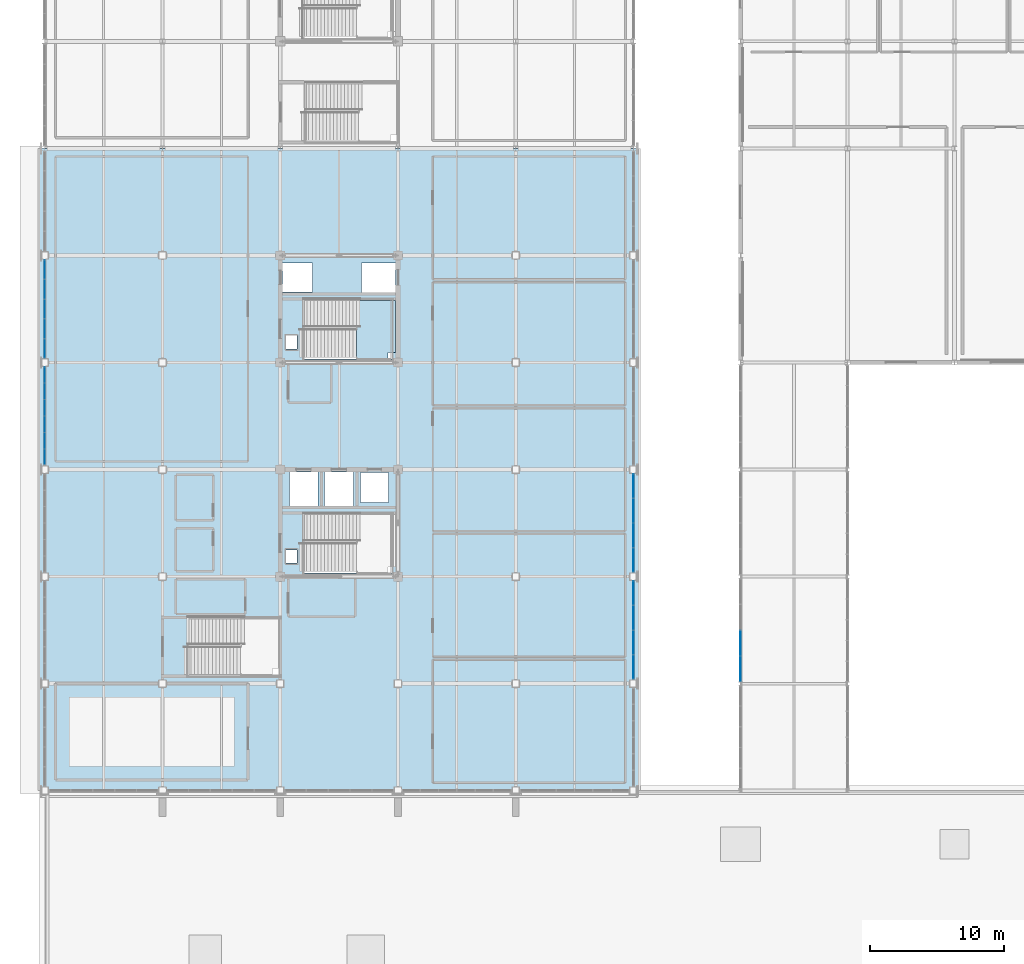
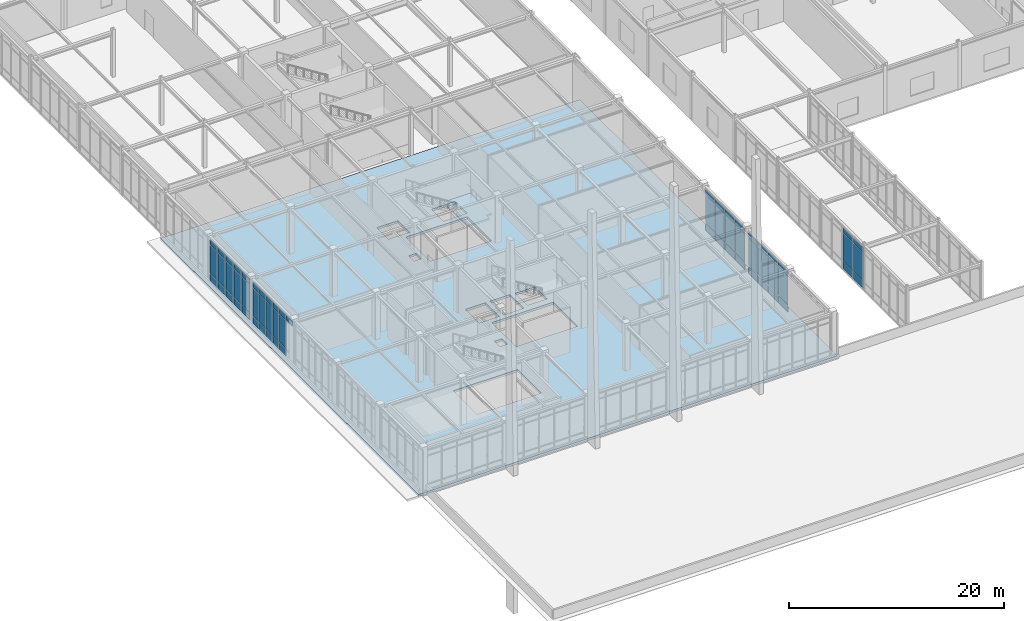
# One storey, part 61 of 108: 61 plates, 2 slabs, 6 elements without a shape of their own.
"""IFC4 building model written with IfcOpenShell, lengths in metres."""

from ifc_helpers import new_model, si_unit, direction, frame, origin, origin_2d, place, context, subcontext, project, spatial, polyline, rectangle, outline, extrude, material, layer, layer_set, type_object, element, aggregate, save


model = new_model("IFC4")

# Units and contexts
model_context = context("Model", 3, precision=1e-05, world=origin(), true_north=direction((0.0, 1.0)))
body_context = subcontext(model_context, "Body", "Model", "MODEL_VIEW")
ifc_project = project(units=[si_unit("LENGTHUNIT", "METRE"), si_unit("AREAUNIT", "SQUARE_METRE"), si_unit("VOLUMEUNIT", "CUBIC_METRE"), si_unit("PLANEANGLEUNIT", "RADIAN"), si_unit("MASSUNIT", "GRAM", prefix="KILO")], contexts=[model_context])

# Site, building, storey
site_placement = place(None, origin())
site = spatial("IfcSite", under=ifc_project, at=site_placement, CompositionType="ELEMENT")
building_placement = place(site_placement, origin())
building = spatial("IfcBuilding", under=site, at=building_placement, Name="Zhaolan Boulevard Law Courts", CompositionType="ELEMENT")
storey_placement = place(building_placement, frame((0.0, 0.0, 10.800048828125)))
storey = spatial("IfcBuildingStorey", under=building, at=storey_placement, Name="L02", CompositionType="ELEMENT", Elevation=10.800048828125)

# Curtain wall, plates
ifc_material_1 = material(Name="Thermally broken aluminium and low-E glazing", Category="aluminium")
curtain_wall_type_1 = type_object("IfcCurtainWallType", Name="CURTAIN WALL M21", PredefinedType="USERDEFINED", material=ifc_material_1)
curtain_wall_1_placement = place(storey_placement, origin())
curtain_wall_1 = element("IfcCurtainWall", 1, at=curtain_wall_1_placement, inside=storey, type_object=curtain_wall_type_1, Name="Curtain Wall CW-L02-093", ObjectType="CURTAIN WALL", PredefinedType="USERDEFINED")
ifc_material_2 = material(Name="Triple-silver low-E insulated glazing", Category="glass")
ifc_layer_1 = layer(ifc_material_2, 0.028076171875)
ifc_layer_set_1 = layer_set([ifc_layer_1])
plate_type = type_object("IfcPlateType", Name="CWPANEL LOW E28", PredefinedType="CURTAIN_PANEL", material=ifc_layer_set_1)
plate_1_placement = place(storey_placement, frame((52.0, 41.03173828125, 0.06494140625), z_axis=(0.0, 0.0, 1.0), x_axis=(0.0, -1.0, 0.0)))
plate_1 = element("IfcPlate", 2, at=plate_1_placement, type_object=plate_type, Name="CW-L02-093 panel 3.1", PredefinedType="CURTAIN_PANEL", context=body_context, shape_type="SweptSolid", body=[
    extrude(rectangle(XDim=1.87158203125, YDim=0.028076171875, at=origin_2d()), origin(), (0.0, 0.0, 1.0), 0.802490234375),
])
plate_2_placement = place(storey_placement, frame((52.0, 41.03173828125, 0.932373046875), z_axis=(0.0, 0.0, 1.0), x_axis=(0.0, -1.0, 0.0)))
plate_2 = element("IfcPlate", 3, at=plate_2_placement, type_object=plate_type, Name="CW-L02-093 panel 3.2", PredefinedType="CURTAIN_PANEL", context=body_context, shape_type="SweptSolid", body=[
    extrude(rectangle(XDim=1.87158203125, YDim=0.028076171875, at=origin_2d()), origin(), (0.0, 0.0, 1.0), 3.16796875),
])
plate_3_placement = place(storey_placement, frame((52.0, 41.03173828125, 4.16552734375), z_axis=(0.0, 0.0, 1.0), x_axis=(0.0, -1.0, 0.0)))
plate_3 = element("IfcPlate", 4, at=plate_3_placement, type_object=plate_type, Name="CW-L02-093 panel 3.3", PredefinedType="CURTAIN_PANEL", context=body_context, shape_type="SweptSolid", body=[
    extrude(rectangle(XDim=1.87158203125, YDim=0.028076171875, at=origin_2d()), origin(), (0.0, 0.0, 1.0), 0.552490234375),
])
plate_4_placement = place(storey_placement, frame((52.0, 39.111572265625, 0.06494140625), z_axis=(0.0, 0.0, 1.0), x_axis=(0.0, -1.0, 0.0)))
plate_4 = element("IfcPlate", 5, at=plate_4_placement, type_object=plate_type, Name="CW-L02-093 panel 4.1", PredefinedType="CURTAIN_PANEL", context=body_context, shape_type="SweptSolid", body=[
    extrude(rectangle(XDim=1.839111328125, YDim=0.028076171875, at=origin_2d()), origin(), (0.0, 0.0, 1.0), 0.802490234375),
])
plate_5_placement = place(storey_placement, frame((52.0, 39.111572265625, 0.932373046875), z_axis=(0.0, 0.0, 1.0), x_axis=(0.0, -1.0, 0.0)))
plate_5 = element("IfcPlate", 6, at=plate_5_placement, type_object=plate_type, Name="CW-L02-093 panel 4.2", PredefinedType="CURTAIN_PANEL", context=body_context, shape_type="SweptSolid", body=[
    extrude(rectangle(XDim=1.839111328125, YDim=0.028076171875, at=origin_2d()), origin(), (0.0, 0.0, 1.0), 3.16796875),
])
plate_6_placement = place(storey_placement, frame((52.0, 39.111572265625, 4.16552734375), z_axis=(0.0, 0.0, 1.0), x_axis=(0.0, -1.0, 0.0)))
plate_6 = element("IfcPlate", 7, at=plate_6_placement, type_object=plate_type, Name="CW-L02-093 panel 4.3", PredefinedType="CURTAIN_PANEL", context=body_context, shape_type="SweptSolid", body=[
    extrude(rectangle(XDim=1.839111328125, YDim=0.028076171875, at=origin_2d()), origin(), (0.0, 0.0, 1.0), 0.552490234375),
])
aggregate(curtain_wall_1, [plate_1, plate_2, plate_3, plate_4, plate_5, plate_6])

ifc_material_3 = material(Name="Thermally broken aluminium and low-E glazing", Category="aluminium")
curtain_wall_type_2 = type_object("IfcCurtainWallType", Name="CURTAIN WALL M15", PredefinedType="USERDEFINED", material=ifc_material_3)
curtain_wall_2_placement = place(storey_placement, origin())
curtain_wall_2 = element("IfcCurtainWall", 8, at=curtain_wall_2_placement, inside=storey, type_object=curtain_wall_type_2, Name="Curtain Wall CW-L02-159", ObjectType="CURTAIN WALL", PredefinedType="USERDEFINED")
plate_7_placement = place(storey_placement, frame((0.0, 61.0654296875, 0.06494140625), z_axis=(0.0, 0.0, 1.0), x_axis=(0.0, -1.0, 0.0)))
plate_7 = element("IfcPlate", 9, at=plate_7_placement, type_object=plate_type, Name="CW-L02-159 panel 1.1", PredefinedType="CURTAIN_PANEL", context=body_context, shape_type="SweptSolid", body=[
    extrude(rectangle(XDim=1.13525390625, YDim=0.028076171875, at=origin_2d()), origin(), (0.0, 0.0, 1.0), 0.802490234375),
])
plate_8_placement = place(storey_placement, frame((0.0, 61.0654296875, 0.932373046875), z_axis=(0.0, 0.0, 1.0), x_axis=(0.0, -1.0, 0.0)))
plate_8 = element("IfcPlate", 10, at=plate_8_placement, type_object=plate_type, Name="CW-L02-159 panel 1.2", PredefinedType="CURTAIN_PANEL", context=body_context, shape_type="SweptSolid", body=[
    extrude(rectangle(XDim=1.13525390625, YDim=0.028076171875, at=origin_2d()), origin(), (0.0, 0.0, 1.0), 3.16796875),
])
plate_9_placement = place(storey_placement, frame((0.0, 61.0654296875, 4.16552734375), z_axis=(0.0, 0.0, 1.0), x_axis=(0.0, -1.0, 0.0)))
plate_9 = element("IfcPlate", 11, at=plate_9_placement, type_object=plate_type, Name="CW-L02-159 panel 1.3", PredefinedType="CURTAIN_PANEL", context=body_context, shape_type="SweptSolid", body=[
    extrude(rectangle(XDim=1.13525390625, YDim=0.028076171875, at=origin_2d()), origin(), (0.0, 0.0, 1.0), 0.552490234375),
])
plate_10_placement = place(storey_placement, frame((0.0, 59.84912109375, 0.06494140625), z_axis=(0.0, 0.0, 1.0), x_axis=(0.0, -1.0, 0.0)))
plate_10 = element("IfcPlate", 12, at=plate_10_placement, type_object=plate_type, Name="CW-L02-159 panel 2.1", PredefinedType="CURTAIN_PANEL", context=body_context, shape_type="SweptSolid", body=[
    extrude(rectangle(XDim=1.167724609375, YDim=0.028076171875, at=origin_2d()), origin(), (0.0, 0.0, 1.0), 0.802490234375),
])
plate_11_placement = place(storey_placement, frame((0.0, 59.84912109375, 0.932373046875), z_axis=(0.0, 0.0, 1.0), x_axis=(0.0, -1.0, 0.0)))
plate_11 = element("IfcPlate", 13, at=plate_11_placement, type_object=plate_type, Name="CW-L02-159 panel 2.2", PredefinedType="CURTAIN_PANEL", context=body_context, shape_type="SweptSolid", body=[
    extrude(rectangle(XDim=1.167724609375, YDim=0.028076171875, at=origin_2d()), origin(), (0.0, 0.0, 1.0), 3.16796875),
])
plate_12_placement = place(storey_placement, frame((0.0, 59.84912109375, 4.16552734375), z_axis=(0.0, 0.0, 1.0), x_axis=(0.0, -1.0, 0.0)))
plate_12 = element("IfcPlate", 14, at=plate_12_placement, type_object=plate_type, Name="CW-L02-159 panel 2.3", PredefinedType="CURTAIN_PANEL", context=body_context, shape_type="SweptSolid", body=[
    extrude(rectangle(XDim=1.167724609375, YDim=0.028076171875, at=origin_2d()), origin(), (0.0, 0.0, 1.0), 0.552490234375),
])
plate_13_placement = place(storey_placement, frame((0.0, 58.616455078125, 0.06494140625), z_axis=(0.0, 0.0, 1.0), x_axis=(0.0, -1.0, 0.0)))
plate_13 = element("IfcPlate", 15, at=plate_13_placement, type_object=plate_type, Name="CW-L02-159 panel 3.1", PredefinedType="CURTAIN_PANEL", context=body_context, shape_type="SweptSolid", body=[
    extrude(rectangle(XDim=1.167724609375, YDim=0.028076171875, at=origin_2d()), origin(), (0.0, 0.0, 1.0), 0.802490234375),
])
plate_14_placement = place(storey_placement, frame((0.0, 58.616455078125, 0.932373046875), z_axis=(0.0, 0.0, 1.0), x_axis=(0.0, -1.0, 0.0)))
plate_14 = element("IfcPlate", 16, at=plate_14_placement, type_object=plate_type, Name="CW-L02-159 panel 3.2", PredefinedType="CURTAIN_PANEL", context=body_context, shape_type="SweptSolid", body=[
    extrude(rectangle(XDim=1.167724609375, YDim=0.028076171875, at=origin_2d()), origin(), (0.0, 0.0, 1.0), 3.16796875),
])
plate_15_placement = place(storey_placement, frame((0.0, 58.616455078125, 4.16552734375), z_axis=(0.0, 0.0, 1.0), x_axis=(0.0, -1.0, 0.0)))
plate_15 = element("IfcPlate", 17, at=plate_15_placement, type_object=plate_type, Name="CW-L02-159 panel 3.3", PredefinedType="CURTAIN_PANEL", context=body_context, shape_type="SweptSolid", body=[
    extrude(rectangle(XDim=1.167724609375, YDim=0.028076171875, at=origin_2d()), origin(), (0.0, 0.0, 1.0), 0.552490234375),
])
plate_16_placement = place(storey_placement, frame((0.0, 57.383544921875, 0.06494140625), z_axis=(0.0, 0.0, 1.0), x_axis=(0.0, -1.0, 0.0)))
plate_16 = element("IfcPlate", 18, at=plate_16_placement, type_object=plate_type, Name="CW-L02-159 panel 4.1", PredefinedType="CURTAIN_PANEL", context=body_context, shape_type="SweptSolid", body=[
    extrude(rectangle(XDim=1.167724609375, YDim=0.028076171875, at=origin_2d()), origin(), (0.0, 0.0, 1.0), 0.802490234375),
])
plate_17_placement = place(storey_placement, frame((0.0, 57.383544921875, 0.932373046875), z_axis=(0.0, 0.0, 1.0), x_axis=(0.0, -1.0, 0.0)))
plate_17 = element("IfcPlate", 19, at=plate_17_placement, type_object=plate_type, Name="CW-L02-159 panel 4.2", PredefinedType="CURTAIN_PANEL", context=body_context, shape_type="SweptSolid", body=[
    extrude(rectangle(XDim=1.167724609375, YDim=0.028076171875, at=origin_2d()), origin(), (0.0, 0.0, 1.0), 3.16796875),
])
plate_18_placement = place(storey_placement, frame((0.0, 57.383544921875, 4.16552734375), z_axis=(0.0, 0.0, 1.0), x_axis=(0.0, -1.0, 0.0)))
plate_18 = element("IfcPlate", 20, at=plate_18_placement, type_object=plate_type, Name="CW-L02-159 panel 4.3", PredefinedType="CURTAIN_PANEL", context=body_context, shape_type="SweptSolid", body=[
    extrude(rectangle(XDim=1.167724609375, YDim=0.028076171875, at=origin_2d()), origin(), (0.0, 0.0, 1.0), 0.552490234375),
])
plate_19_placement = place(storey_placement, frame((0.0, 56.15087890625, 0.06494140625), z_axis=(0.0, 0.0, 1.0), x_axis=(0.0, -1.0, 0.0)))
plate_19 = element("IfcPlate", 21, at=plate_19_placement, type_object=plate_type, Name="CW-L02-159 panel 5.1", PredefinedType="CURTAIN_PANEL", context=body_context, shape_type="SweptSolid", body=[
    extrude(rectangle(XDim=1.167724609375, YDim=0.028076171875, at=origin_2d()), origin(), (0.0, 0.0, 1.0), 0.802490234375),
])
plate_20_placement = place(storey_placement, frame((0.0, 56.15087890625, 0.932373046875), z_axis=(0.0, 0.0, 1.0), x_axis=(0.0, -1.0, 0.0)))
plate_20 = element("IfcPlate", 22, at=plate_20_placement, type_object=plate_type, Name="CW-L02-159 panel 5.2", PredefinedType="CURTAIN_PANEL", context=body_context, shape_type="SweptSolid", body=[
    extrude(rectangle(XDim=1.167724609375, YDim=0.028076171875, at=origin_2d()), origin(), (0.0, 0.0, 1.0), 3.16796875),
])
plate_21_placement = place(storey_placement, frame((0.0, 56.15087890625, 4.16552734375), z_axis=(0.0, 0.0, 1.0), x_axis=(0.0, -1.0, 0.0)))
plate_21 = element("IfcPlate", 23, at=plate_21_placement, type_object=plate_type, Name="CW-L02-159 panel 5.3", PredefinedType="CURTAIN_PANEL", context=body_context, shape_type="SweptSolid", body=[
    extrude(rectangle(XDim=1.167724609375, YDim=0.028076171875, at=origin_2d()), origin(), (0.0, 0.0, 1.0), 0.552490234375),
])
plate_22_placement = place(storey_placement, frame((0.0, 54.9345703125, 4.16552734375), z_axis=(0.0, 0.0, 1.0), x_axis=(0.0, -1.0, 0.0)))
plate_22 = element("IfcPlate", 24, at=plate_22_placement, type_object=plate_type, Name="CW-L02-159 panel 6.3", PredefinedType="CURTAIN_PANEL", context=body_context, shape_type="SweptSolid", body=[
    extrude(rectangle(XDim=1.13525390625, YDim=0.028076171875, at=origin_2d()), origin(), (0.0, 0.0, 1.0), 0.552490234375),
])
aggregate(curtain_wall_2, [plate_7, plate_8, plate_9, plate_10, plate_11, plate_12, plate_13, plate_14, plate_15, plate_16, plate_17, plate_18, plate_19, plate_20, plate_21, plate_22])

ifc_material_4 = material(Name="Thermally broken aluminium and low-E glazing", Category="aluminium")
curtain_wall_type_3 = type_object("IfcCurtainWallType", Name="CURTAIN WALL M16", PredefinedType="USERDEFINED", material=ifc_material_4)
curtain_wall_3_placement = place(storey_placement, origin())
curtain_wall_3 = element("IfcCurtainWall", 25, at=curtain_wall_3_placement, inside=storey, type_object=curtain_wall_type_3, Name="Curtain Wall CW-L02-160", ObjectType="CURTAIN WALL", PredefinedType="USERDEFINED")
plate_23_placement = place(storey_placement, frame((0.0, 68.942138671875, 0.06494140625), z_axis=(0.0, 0.0, 1.0), x_axis=(0.0, -1.0, 0.0)))
plate_23 = element("IfcPlate", 26, at=plate_23_placement, type_object=plate_type, Name="CW-L02-160 panel 1.1", PredefinedType="CURTAIN_PANEL", context=body_context, shape_type="SweptSolid", body=[
    extrude(rectangle(XDim=1.381591796875, YDim=0.028076171875, at=origin_2d()), origin(), (0.0, 0.0, 1.0), 0.802490234375),
])
plate_24_placement = place(storey_placement, frame((0.0, 68.942138671875, 0.932373046875), z_axis=(0.0, 0.0, 1.0), x_axis=(0.0, -1.0, 0.0)))
plate_24 = element("IfcPlate", 27, at=plate_24_placement, type_object=plate_type, Name="CW-L02-160 panel 1.2", PredefinedType="CURTAIN_PANEL", context=body_context, shape_type="SweptSolid", body=[
    extrude(rectangle(XDim=1.381591796875, YDim=0.028076171875, at=origin_2d()), origin(), (0.0, 0.0, 1.0), 3.16796875),
])
plate_25_placement = place(storey_placement, frame((0.0, 68.942138671875, 4.16552734375), z_axis=(0.0, 0.0, 1.0), x_axis=(0.0, -1.0, 0.0)))
plate_25 = element("IfcPlate", 28, at=plate_25_placement, type_object=plate_type, Name="CW-L02-160 panel 1.3", PredefinedType="CURTAIN_PANEL", context=body_context, shape_type="SweptSolid", body=[
    extrude(rectangle(XDim=1.381591796875, YDim=0.028076171875, at=origin_2d()), origin(), (0.0, 0.0, 1.0), 0.552490234375),
])
plate_26_placement = place(storey_placement, frame((0.0, 67.479248046875, 0.06494140625), z_axis=(0.0, 0.0, 1.0), x_axis=(0.0, -1.0, 0.0)))
plate_26 = element("IfcPlate", 29, at=plate_26_placement, type_object=plate_type, Name="CW-L02-160 panel 2.1", PredefinedType="CURTAIN_PANEL", context=body_context, shape_type="SweptSolid", body=[
    extrude(rectangle(XDim=1.414306640625, YDim=0.028076171875, at=origin_2d()), origin(), (0.0, 0.0, 1.0), 0.802490234375),
])
plate_27_placement = place(storey_placement, frame((0.0, 67.479248046875, 0.932373046875), z_axis=(0.0, 0.0, 1.0), x_axis=(0.0, -1.0, 0.0)))
plate_27 = element("IfcPlate", 30, at=plate_27_placement, type_object=plate_type, Name="CW-L02-160 panel 2.2", PredefinedType="CURTAIN_PANEL", context=body_context, shape_type="SweptSolid", body=[
    extrude(rectangle(XDim=1.414306640625, YDim=0.028076171875, at=origin_2d()), origin(), (0.0, 0.0, 1.0), 3.16796875),
])
plate_28_placement = place(storey_placement, frame((0.0, 67.479248046875, 4.16552734375), z_axis=(0.0, 0.0, 1.0), x_axis=(0.0, -1.0, 0.0)))
plate_28 = element("IfcPlate", 31, at=plate_28_placement, type_object=plate_type, Name="CW-L02-160 panel 2.3", PredefinedType="CURTAIN_PANEL", context=body_context, shape_type="SweptSolid", body=[
    extrude(rectangle(XDim=1.414306640625, YDim=0.028076171875, at=origin_2d()), origin(), (0.0, 0.0, 1.0), 0.552490234375),
])
plate_29_placement = place(storey_placement, frame((0.0, 66.0, 0.06494140625), z_axis=(0.0, 0.0, 1.0), x_axis=(0.0, -1.0, 0.0)))
plate_29 = element("IfcPlate", 32, at=plate_29_placement, type_object=plate_type, Name="CW-L02-160 panel 3.1", PredefinedType="CURTAIN_PANEL", context=body_context, shape_type="SweptSolid", body=[
    extrude(rectangle(XDim=1.414306640625, YDim=0.028076171875, at=origin_2d()), origin(), (0.0, 0.0, 1.0), 0.802490234375),
])
plate_30_placement = place(storey_placement, frame((0.0, 66.0, 0.932373046875), z_axis=(0.0, 0.0, 1.0), x_axis=(0.0, -1.0, 0.0)))
plate_30 = element("IfcPlate", 33, at=plate_30_placement, type_object=plate_type, Name="CW-L02-160 panel 3.2", PredefinedType="CURTAIN_PANEL", context=body_context, shape_type="SweptSolid", body=[
    extrude(rectangle(XDim=1.414306640625, YDim=0.028076171875, at=origin_2d()), origin(), (0.0, 0.0, 1.0), 3.16796875),
])
plate_31_placement = place(storey_placement, frame((0.0, 66.0, 4.16552734375), z_axis=(0.0, 0.0, 1.0), x_axis=(0.0, -1.0, 0.0)))
plate_31 = element("IfcPlate", 34, at=plate_31_placement, type_object=plate_type, Name="CW-L02-160 panel 3.3", PredefinedType="CURTAIN_PANEL", context=body_context, shape_type="SweptSolid", body=[
    extrude(rectangle(XDim=1.414306640625, YDim=0.028076171875, at=origin_2d()), origin(), (0.0, 0.0, 1.0), 0.552490234375),
])
plate_32_placement = place(storey_placement, frame((0.0, 64.520751953125, 0.06494140625), z_axis=(0.0, 0.0, 1.0), x_axis=(0.0, -1.0, 0.0)))
plate_32 = element("IfcPlate", 35, at=plate_32_placement, type_object=plate_type, Name="CW-L02-160 panel 4.1", PredefinedType="CURTAIN_PANEL", context=body_context, shape_type="SweptSolid", body=[
    extrude(rectangle(XDim=1.414306640625, YDim=0.028076171875, at=origin_2d()), origin(), (0.0, 0.0, 1.0), 0.802490234375),
])
plate_33_placement = place(storey_placement, frame((0.0, 64.520751953125, 0.932373046875), z_axis=(0.0, 0.0, 1.0), x_axis=(0.0, -1.0, 0.0)))
plate_33 = element("IfcPlate", 36, at=plate_33_placement, type_object=plate_type, Name="CW-L02-160 panel 4.2", PredefinedType="CURTAIN_PANEL", context=body_context, shape_type="SweptSolid", body=[
    extrude(rectangle(XDim=1.414306640625, YDim=0.028076171875, at=origin_2d()), origin(), (0.0, 0.0, 1.0), 3.16796875),
])
plate_34_placement = place(storey_placement, frame((0.0, 64.520751953125, 4.16552734375), z_axis=(0.0, 0.0, 1.0), x_axis=(0.0, -1.0, 0.0)))
plate_34 = element("IfcPlate", 37, at=plate_34_placement, type_object=plate_type, Name="CW-L02-160 panel 4.3", PredefinedType="CURTAIN_PANEL", context=body_context, shape_type="SweptSolid", body=[
    extrude(rectangle(XDim=1.414306640625, YDim=0.028076171875, at=origin_2d()), origin(), (0.0, 0.0, 1.0), 0.552490234375),
])
plate_35_placement = place(storey_placement, frame((0.0, 63.057861328125, 0.06494140625), z_axis=(0.0, 0.0, 1.0), x_axis=(0.0, -1.0, 0.0)))
plate_35 = element("IfcPlate", 38, at=plate_35_placement, type_object=plate_type, Name="CW-L02-160 panel 5.1", PredefinedType="CURTAIN_PANEL", context=body_context, shape_type="SweptSolid", body=[
    extrude(rectangle(XDim=1.381591796875, YDim=0.028076171875, at=origin_2d()), origin(), (0.0, 0.0, 1.0), 0.802490234375),
])
plate_36_placement = place(storey_placement, frame((0.0, 63.057861328125, 0.932373046875), z_axis=(0.0, 0.0, 1.0), x_axis=(0.0, -1.0, 0.0)))
plate_36 = element("IfcPlate", 39, at=plate_36_placement, type_object=plate_type, Name="CW-L02-160 panel 5.2", PredefinedType="CURTAIN_PANEL", context=body_context, shape_type="SweptSolid", body=[
    extrude(rectangle(XDim=1.381591796875, YDim=0.028076171875, at=origin_2d()), origin(), (0.0, 0.0, 1.0), 3.16796875),
])
plate_37_placement = place(storey_placement, frame((0.0, 63.057861328125, 4.16552734375), z_axis=(0.0, 0.0, 1.0), x_axis=(0.0, -1.0, 0.0)))
plate_37 = element("IfcPlate", 40, at=plate_37_placement, type_object=plate_type, Name="CW-L02-160 panel 5.3", PredefinedType="CURTAIN_PANEL", context=body_context, shape_type="SweptSolid", body=[
    extrude(rectangle(XDim=1.381591796875, YDim=0.028076171875, at=origin_2d()), origin(), (0.0, 0.0, 1.0), 0.552490234375),
])
aggregate(curtain_wall_3, [plate_23, plate_24, plate_25, plate_26, plate_27, plate_28, plate_29, plate_30, plate_31, plate_32, plate_33, plate_34, plate_35, plate_36, plate_37])

ifc_material_5 = material(Name="Thermally broken aluminium and low-E glazing", Category="aluminium")
curtain_wall_type_4 = type_object("IfcCurtainWallType", Name="CURTAIN WALL M19", PredefinedType="USERDEFINED", material=ifc_material_5)
curtain_wall_4_placement = place(storey_placement, origin())
curtain_wall_4 = element("IfcCurtainWall", 41, at=curtain_wall_4_placement, inside=storey, type_object=curtain_wall_type_4, Name="Curtain Wall CW-L02-163", ObjectType="CURTAIN WALL", PredefinedType="USERDEFINED")
plate_38_placement = place(storey_placement, frame((44.0, 39.24267578125, 0.06494140625), z_axis=(0.0, 0.0, 1.0), x_axis=(0.0, 1.0, 0.0)))
plate_38 = element("IfcPlate", 42, at=plate_38_placement, type_object=plate_type, Name="CW-L02-163 panel 1.1", PredefinedType="CURTAIN_PANEL", context=body_context, shape_type="SweptSolid", body=[
    extrude(rectangle(XDim=1.75146484375, YDim=0.028076171875, at=origin_2d()), origin(), (0.0, 0.0, 1.0), 0.802490234375),
])
plate_39_placement = place(storey_placement, frame((44.0, 39.24267578125, 0.932373046875), z_axis=(0.0, 0.0, 1.0), x_axis=(0.0, 1.0, 0.0)))
plate_39 = element("IfcPlate", 43, at=plate_39_placement, type_object=plate_type, Name="CW-L02-163 panel 1.2", PredefinedType="CURTAIN_PANEL", context=body_context, shape_type="SweptSolid", body=[
    extrude(rectangle(XDim=1.75146484375, YDim=0.028076171875, at=origin_2d()), origin(), (0.0, 0.0, 1.0), 3.16796875),
])
plate_40_placement = place(storey_placement, frame((44.0, 39.24267578125, 4.16552734375), z_axis=(0.0, 0.0, 1.0), x_axis=(0.0, 1.0, 0.0)))
plate_40 = element("IfcPlate", 44, at=plate_40_placement, type_object=plate_type, Name="CW-L02-163 panel 1.3", PredefinedType="CURTAIN_PANEL", context=body_context, shape_type="SweptSolid", body=[
    extrude(rectangle(XDim=1.75146484375, YDim=0.028076171875, at=origin_2d()), origin(), (0.0, 0.0, 1.0), 0.552490234375),
])
plate_41_placement = place(storey_placement, frame((44.0, 41.075439453125, 0.06494140625), z_axis=(0.0, 0.0, 1.0), x_axis=(0.0, 1.0, 0.0)))
plate_41 = element("IfcPlate", 45, at=plate_41_placement, type_object=plate_type, Name="CW-L02-163 panel 2.1", PredefinedType="CURTAIN_PANEL", context=body_context, shape_type="SweptSolid", body=[
    extrude(rectangle(XDim=1.783935546875, YDim=0.028076171875, at=origin_2d()), origin(), (0.0, 0.0, 1.0), 0.802490234375),
])
plate_42_placement = place(storey_placement, frame((44.0, 41.075439453125, 0.932373046875), z_axis=(0.0, 0.0, 1.0), x_axis=(0.0, 1.0, 0.0)))
plate_42 = element("IfcPlate", 46, at=plate_42_placement, type_object=plate_type, Name="CW-L02-163 panel 2.2", PredefinedType="CURTAIN_PANEL", context=body_context, shape_type="SweptSolid", body=[
    extrude(rectangle(XDim=1.783935546875, YDim=0.028076171875, at=origin_2d()), origin(), (0.0, 0.0, 1.0), 3.16796875),
])
plate_43_placement = place(storey_placement, frame((44.0, 41.075439453125, 4.16552734375), z_axis=(0.0, 0.0, 1.0), x_axis=(0.0, 1.0, 0.0)))
plate_43 = element("IfcPlate", 47, at=plate_43_placement, type_object=plate_type, Name="CW-L02-163 panel 2.3", PredefinedType="CURTAIN_PANEL", context=body_context, shape_type="SweptSolid", body=[
    extrude(rectangle(XDim=1.783935546875, YDim=0.028076171875, at=origin_2d()), origin(), (0.0, 0.0, 1.0), 0.552490234375),
])
plate_44_placement = place(storey_placement, frame((44.0, 42.924560546875, 0.06494140625), z_axis=(0.0, 0.0, 1.0), x_axis=(0.0, 1.0, 0.0)))
plate_44 = element("IfcPlate", 48, at=plate_44_placement, type_object=plate_type, Name="CW-L02-163 panel 3.1", PredefinedType="CURTAIN_PANEL", context=body_context, shape_type="SweptSolid", body=[
    extrude(rectangle(XDim=1.783935546875, YDim=0.028076171875, at=origin_2d()), origin(), (0.0, 0.0, 1.0), 0.802490234375),
])
plate_45_placement = place(storey_placement, frame((44.0, 42.924560546875, 0.932373046875), z_axis=(0.0, 0.0, 1.0), x_axis=(0.0, 1.0, 0.0)))
plate_45 = element("IfcPlate", 49, at=plate_45_placement, type_object=plate_type, Name="CW-L02-163 panel 3.2", PredefinedType="CURTAIN_PANEL", context=body_context, shape_type="SweptSolid", body=[
    extrude(rectangle(XDim=1.783935546875, YDim=0.028076171875, at=origin_2d()), origin(), (0.0, 0.0, 1.0), 3.16796875),
])
plate_46_placement = place(storey_placement, frame((44.0, 42.924560546875, 4.16552734375), z_axis=(0.0, 0.0, 1.0), x_axis=(0.0, 1.0, 0.0)))
plate_46 = element("IfcPlate", 50, at=plate_46_placement, type_object=plate_type, Name="CW-L02-163 panel 3.3", PredefinedType="CURTAIN_PANEL", context=body_context, shape_type="SweptSolid", body=[
    extrude(rectangle(XDim=1.783935546875, YDim=0.028076171875, at=origin_2d()), origin(), (0.0, 0.0, 1.0), 0.552490234375),
])
plate_47_placement = place(storey_placement, frame((44.0, 44.75732421875, 0.06494140625), z_axis=(0.0, 0.0, 1.0), x_axis=(0.0, 1.0, 0.0)))
plate_47 = element("IfcPlate", 51, at=plate_47_placement, type_object=plate_type, Name="CW-L02-163 panel 4.1", PredefinedType="CURTAIN_PANEL", context=body_context, shape_type="SweptSolid", body=[
    extrude(rectangle(XDim=1.75146484375, YDim=0.028076171875, at=origin_2d()), origin(), (0.0, 0.0, 1.0), 0.802490234375),
])
plate_48_placement = place(storey_placement, frame((44.0, 44.75732421875, 0.932373046875), z_axis=(0.0, 0.0, 1.0), x_axis=(0.0, 1.0, 0.0)))
plate_48 = element("IfcPlate", 52, at=plate_48_placement, type_object=plate_type, Name="CW-L02-163 panel 4.2", PredefinedType="CURTAIN_PANEL", context=body_context, shape_type="SweptSolid", body=[
    extrude(rectangle(XDim=1.75146484375, YDim=0.028076171875, at=origin_2d()), origin(), (0.0, 0.0, 1.0), 3.16796875),
])
plate_49_placement = place(storey_placement, frame((44.0, 44.75732421875, 4.16552734375), z_axis=(0.0, 0.0, 1.0), x_axis=(0.0, 1.0, 0.0)))
plate_49 = element("IfcPlate", 53, at=plate_49_placement, type_object=plate_type, Name="CW-L02-163 panel 4.3", PredefinedType="CURTAIN_PANEL", context=body_context, shape_type="SweptSolid", body=[
    extrude(rectangle(XDim=1.75146484375, YDim=0.028076171875, at=origin_2d()), origin(), (0.0, 0.0, 1.0), 0.552490234375),
])
aggregate(curtain_wall_4, [plate_38, plate_39, plate_40, plate_41, plate_42, plate_43, plate_44, plate_45, plate_46, plate_47, plate_48, plate_49])

ifc_material_6 = material(Name="Thermally broken aluminium and low-E glazing", Category="aluminium")
curtain_wall_type_5 = type_object("IfcCurtainWallType", Name="CURTAIN WALL M20", PredefinedType="USERDEFINED", material=ifc_material_6)
curtain_wall_5_placement = place(storey_placement, origin())
curtain_wall_5 = element("IfcCurtainWall", 54, at=curtain_wall_5_placement, inside=storey, type_object=curtain_wall_type_5, Name="Curtain Wall CW-L02-164", ObjectType="CURTAIN WALL", PredefinedType="USERDEFINED")
plate_50_placement = place(storey_placement, frame((44.0, 47.24267578125, 0.06494140625), z_axis=(0.0, 0.0, 1.0), x_axis=(0.0, 1.0, 0.0)))
plate_50 = element("IfcPlate", 55, at=plate_50_placement, type_object=plate_type, Name="CW-L02-164 panel 1.1", PredefinedType="CURTAIN_PANEL", context=body_context, shape_type="SweptSolid", body=[
    extrude(rectangle(XDim=1.75146484375, YDim=0.028076171875, at=origin_2d()), origin(), (0.0, 0.0, 1.0), 0.802490234375),
])
plate_51_placement = place(storey_placement, frame((44.0, 47.24267578125, 0.932373046875), z_axis=(0.0, 0.0, 1.0), x_axis=(0.0, 1.0, 0.0)))
plate_51 = element("IfcPlate", 56, at=plate_51_placement, type_object=plate_type, Name="CW-L02-164 panel 1.2", PredefinedType="CURTAIN_PANEL", context=body_context, shape_type="SweptSolid", body=[
    extrude(rectangle(XDim=1.75146484375, YDim=0.028076171875, at=origin_2d()), origin(), (0.0, 0.0, 1.0), 3.16796875),
])
plate_52_placement = place(storey_placement, frame((44.0, 47.24267578125, 4.16552734375), z_axis=(0.0, 0.0, 1.0), x_axis=(0.0, 1.0, 0.0)))
plate_52 = element("IfcPlate", 57, at=plate_52_placement, type_object=plate_type, Name="CW-L02-164 panel 1.3", PredefinedType="CURTAIN_PANEL", context=body_context, shape_type="SweptSolid", body=[
    extrude(rectangle(XDim=1.75146484375, YDim=0.028076171875, at=origin_2d()), origin(), (0.0, 0.0, 1.0), 0.552490234375),
])
plate_53_placement = place(storey_placement, frame((44.0, 49.075439453125, 0.06494140625), z_axis=(0.0, 0.0, 1.0), x_axis=(0.0, 1.0, 0.0)))
plate_53 = element("IfcPlate", 58, at=plate_53_placement, type_object=plate_type, Name="CW-L02-164 panel 2.1", PredefinedType="CURTAIN_PANEL", context=body_context, shape_type="SweptSolid", body=[
    extrude(rectangle(XDim=1.783935546875, YDim=0.028076171875, at=origin_2d()), origin(), (0.0, 0.0, 1.0), 0.802490234375),
])
plate_54_placement = place(storey_placement, frame((44.0, 49.075439453125, 0.932373046875), z_axis=(0.0, 0.0, 1.0), x_axis=(0.0, 1.0, 0.0)))
plate_54 = element("IfcPlate", 59, at=plate_54_placement, type_object=plate_type, Name="CW-L02-164 panel 2.2", PredefinedType="CURTAIN_PANEL", context=body_context, shape_type="SweptSolid", body=[
    extrude(rectangle(XDim=1.783935546875, YDim=0.028076171875, at=origin_2d()), origin(), (0.0, 0.0, 1.0), 3.16796875),
])
plate_55_placement = place(storey_placement, frame((44.0, 49.075439453125, 4.16552734375), z_axis=(0.0, 0.0, 1.0), x_axis=(0.0, 1.0, 0.0)))
plate_55 = element("IfcPlate", 60, at=plate_55_placement, type_object=plate_type, Name="CW-L02-164 panel 2.3", PredefinedType="CURTAIN_PANEL", context=body_context, shape_type="SweptSolid", body=[
    extrude(rectangle(XDim=1.783935546875, YDim=0.028076171875, at=origin_2d()), origin(), (0.0, 0.0, 1.0), 0.552490234375),
])
plate_56_placement = place(storey_placement, frame((44.0, 50.924560546875, 0.06494140625), z_axis=(0.0, 0.0, 1.0), x_axis=(0.0, 1.0, 0.0)))
plate_56 = element("IfcPlate", 61, at=plate_56_placement, type_object=plate_type, Name="CW-L02-164 panel 3.1", PredefinedType="CURTAIN_PANEL", context=body_context, shape_type="SweptSolid", body=[
    extrude(rectangle(XDim=1.783935546875, YDim=0.028076171875, at=origin_2d()), origin(), (0.0, 0.0, 1.0), 0.802490234375),
])
plate_57_placement = place(storey_placement, frame((44.0, 50.924560546875, 0.932373046875), z_axis=(0.0, 0.0, 1.0), x_axis=(0.0, 1.0, 0.0)))
plate_57 = element("IfcPlate", 62, at=plate_57_placement, type_object=plate_type, Name="CW-L02-164 panel 3.2", PredefinedType="CURTAIN_PANEL", context=body_context, shape_type="SweptSolid", body=[
    extrude(rectangle(XDim=1.783935546875, YDim=0.028076171875, at=origin_2d()), origin(), (0.0, 0.0, 1.0), 3.16796875),
])
plate_58_placement = place(storey_placement, frame((44.0, 50.924560546875, 4.16552734375), z_axis=(0.0, 0.0, 1.0), x_axis=(0.0, 1.0, 0.0)))
plate_58 = element("IfcPlate", 63, at=plate_58_placement, type_object=plate_type, Name="CW-L02-164 panel 3.3", PredefinedType="CURTAIN_PANEL", context=body_context, shape_type="SweptSolid", body=[
    extrude(rectangle(XDim=1.783935546875, YDim=0.028076171875, at=origin_2d()), origin(), (0.0, 0.0, 1.0), 0.552490234375),
])
plate_59_placement = place(storey_placement, frame((44.0, 52.75732421875, 0.06494140625), z_axis=(0.0, 0.0, 1.0), x_axis=(0.0, 1.0, 0.0)))
plate_59 = element("IfcPlate", 64, at=plate_59_placement, type_object=plate_type, Name="CW-L02-164 panel 4.1", PredefinedType="CURTAIN_PANEL", context=body_context, shape_type="SweptSolid", body=[
    extrude(rectangle(XDim=1.75146484375, YDim=0.028076171875, at=origin_2d()), origin(), (0.0, 0.0, 1.0), 0.802490234375),
])
plate_60_placement = place(storey_placement, frame((44.0, 52.75732421875, 0.932373046875), z_axis=(0.0, 0.0, 1.0), x_axis=(0.0, 1.0, 0.0)))
plate_60 = element("IfcPlate", 65, at=plate_60_placement, type_object=plate_type, Name="CW-L02-164 panel 4.2", PredefinedType="CURTAIN_PANEL", context=body_context, shape_type="SweptSolid", body=[
    extrude(rectangle(XDim=1.75146484375, YDim=0.028076171875, at=origin_2d()), origin(), (0.0, 0.0, 1.0), 3.16796875),
])
plate_61_placement = place(storey_placement, frame((44.0, 52.75732421875, 4.16552734375), z_axis=(0.0, 0.0, 1.0), x_axis=(0.0, 1.0, 0.0)))
plate_61 = element("IfcPlate", 66, at=plate_61_placement, type_object=plate_type, Name="CW-L02-164 panel 4.3", PredefinedType="CURTAIN_PANEL", context=body_context, shape_type="SweptSolid", body=[
    extrude(rectangle(XDim=1.75146484375, YDim=0.028076171875, at=origin_2d()), origin(), (0.0, 0.0, 1.0), 0.552490234375),
])
aggregate(curtain_wall_5, [plate_50, plate_51, plate_52, plate_53, plate_54, plate_55, plate_56, plate_57, plate_58, plate_59, plate_60, plate_61])

# Slab
ifc_material_7 = material(Name="Concrete C40", Category="concrete")
ifc_layer_2 = layer(ifc_material_7, 0.260009765625)
ifc_layer_set_2 = layer_set([ifc_layer_2])
slab_type_1 = type_object("IfcSlabType", Name="FLOOR SLAB 260", PredefinedType="FLOOR", material=ifc_layer_set_2)
slab_1_placement = place(storey_placement, frame((0.0, 0.0, -0.260009765625)))
element("IfcSlab", 67, at=slab_1_placement, inside=storey, type_object=slab_type_1, Name="Slab SLB-L02-V5", PredefinedType="FLOOR", context=body_context, shape_type="SweptSolid", body=[
    extrude(outline(polyline([(-0.52001953125, 30.0), (44.52001953125, 30.0), (44.52001953125, 78.0), (-0.52001953125, 78.0), (-0.52001953125, 30.0)]), holes=[polyline([(18.27490234375, 51.27490234375), (20.425048828125, 51.27490234375), (20.425048828125, 53.824951171875), (18.27490234375, 53.824951171875), (18.27490234375, 51.27490234375)]), polyline([(20.925048828125, 51.27490234375), (23.074951171875, 51.27490234375), (23.074951171875, 53.824951171875), (20.925048828125, 53.824951171875), (20.925048828125, 51.27490234375)]), polyline([(23.675048828125, 67.25), (26.22509765625, 67.25), (26.22509765625, 69.449951171875), (23.675048828125, 69.449951171875), (23.675048828125, 67.25)]), polyline([(23.60009765625, 51.52490234375), (25.699951171875, 51.52490234375), (25.699951171875, 53.77490234375), (23.60009765625, 53.77490234375), (23.60009765625, 51.52490234375)]), polyline([(17.77490234375, 67.27490234375), (20.02490234375, 67.27490234375), (20.02490234375, 69.425048828125), (17.77490234375, 69.425048828125), (17.77490234375, 67.27490234375)]), polyline([(19.35009765625, 46.25), (25.949951171875, 46.25), (25.949951171875, 50.75), (19.35009765625, 50.75), (19.35009765625, 46.25)]), polyline([(19.35009765625, 62.25), (25.949951171875, 62.25), (25.949951171875, 66.75), (19.35009765625, 66.75), (19.35009765625, 62.25)]), polyline([(10.699951171875, 38.550048828125), (17.60009765625, 38.550048828125), (17.60009765625, 42.949951171875), (10.699951171875, 42.949951171875), (10.699951171875, 38.550048828125)]), polyline([(18.050048828125, 47.0), (18.85009765625, 47.0), (18.85009765625, 48.0), (18.050048828125, 48.0), (18.050048828125, 47.0)]), polyline([(18.050048828125, 63.0), (18.85009765625, 63.0), (18.85009765625, 64.0), (18.050048828125, 64.0), (18.050048828125, 63.0)])]), origin(), (0.0, 0.0, 1.0), 0.260009765625),
])

# Stair, slab
ifc_material_8 = material(Name="Concrete C40", Category="concrete")
stair_type = type_object("IfcStairType", Name="HALF TURN STAIR 54 B", PredefinedType="HALF_TURN_STAIR", material=ifc_material_8)
stair_placement = place(storey_placement, origin())
stair = element("IfcStair", 68, at=stair_placement, inside=storey, type_object=stair_type, Name="Stair ST02-L02", PredefinedType="HALF_TURN_STAIR")
ifc_material_9 = material(Name="Concrete C40", Category="concrete")
ifc_layer_3 = layer(ifc_material_9, 0.199951171875)
ifc_layer_set_3 = layer_set([ifc_layer_3])
slab_type_2 = type_object("IfcSlabType", Name="STAIR LANDING 200", PredefinedType="LANDING", material=ifc_layer_set_3)
slab_2_placement = place(storey_placement, frame((0.0, 0.0, 2.5)))
slab_2 = element("IfcSlab", 69, at=slab_2_placement, type_object=slab_type_2, Name="Stair Landing ST02-L02-L1", PredefinedType="LANDING", context=body_context, shape_type="SweptSolid", body=[
    extrude(outline(polyline([(23.2900390625, 62.169921875), (25.669921875, 62.169921875), (25.669921875, 62.72998046875), (26.22998046875, 62.72998046875), (26.22998046875, 66.639892578125), (23.2900390625, 66.639892578125), (23.2900390625, 62.169921875)])), origin(), (0.0, 0.0, 1.0), 0.199951171875),
])
aggregate(stair, [slab_2])

save(model, "model.ifc")
